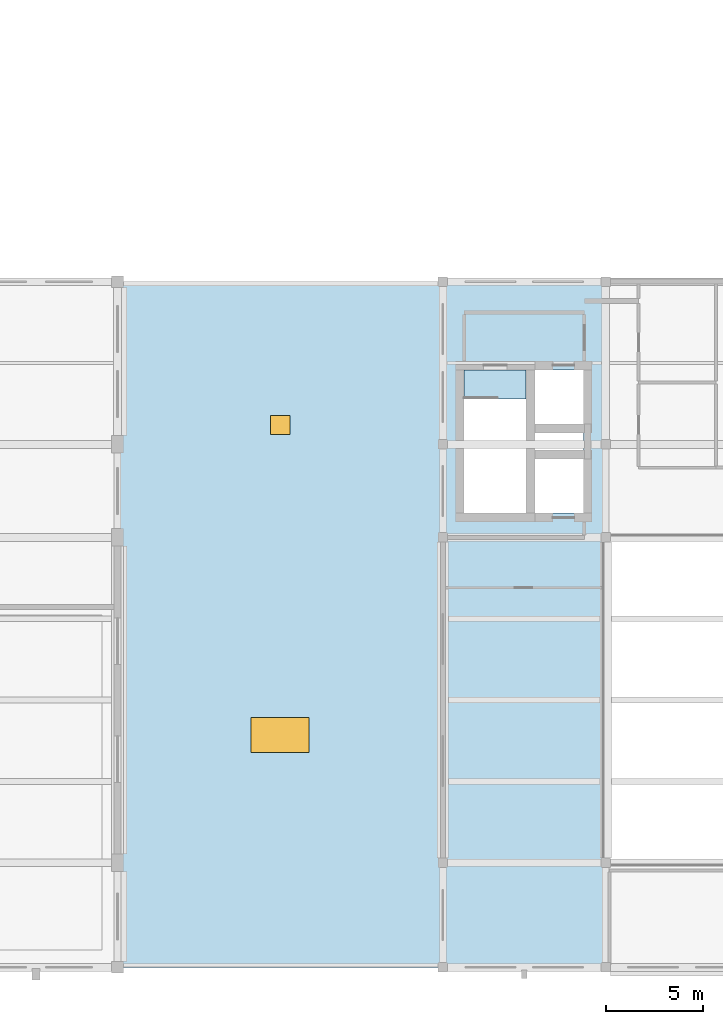
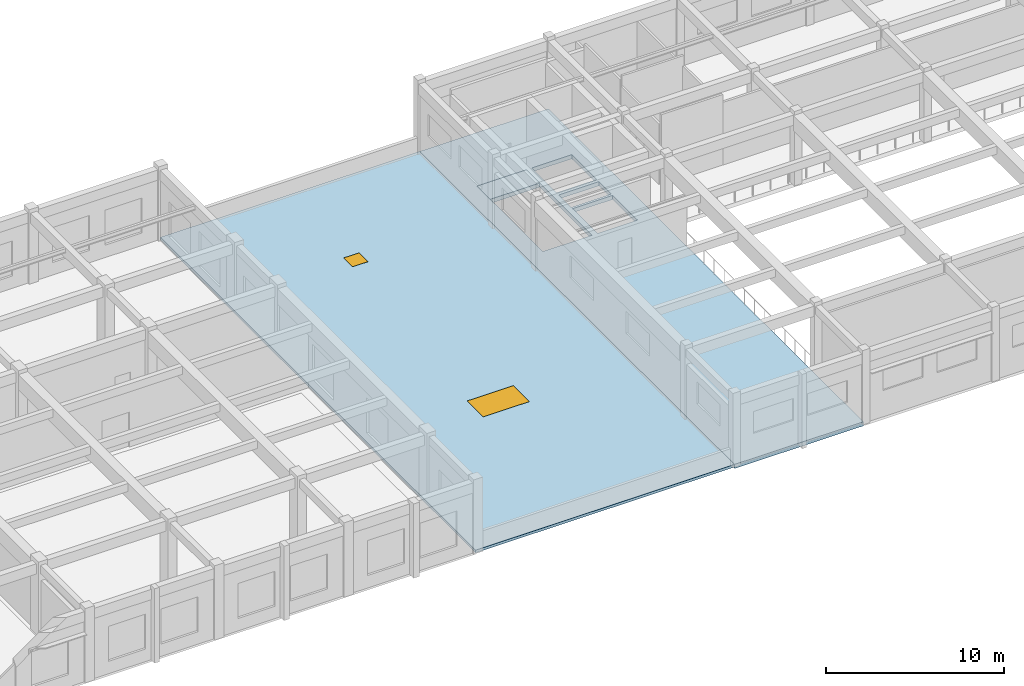
# One storey, part 46 of 77: 3 slabs, 1 door, 1 window, 2 openings.
"""IFC4 building model written with IfcOpenShell, lengths in metres."""

import ifcopenshell
import ifcopenshell.guid

model = None  # the IFC model being written
_history = None  # IfcOwnerHistory: only IFC2X3 demands one
_inside = {}  # id of a spatial element -> (the spatial element, [elements in it])
_under = {}  # id of a project, library or spatial element -> (it, [spatial elements below it])
_declared = {}  # id of a project -> (the project, [libraries it declares])
_typed = {}  # id of a type object -> (the type object, [elements of that type])
_made_of = {}  # id of a material, layer set ... -> (it, [elements and type objects made of it])


def new_model(schema):
    """Start an empty IFC model of exactly this schema.

    Asked for "IFC4X3", IfcOpenShell would pick the latest addendum, in which some entities
    have other attributes; the version numbers below select the first issue.
    IFC2X3 requires an IfcOwnerHistory on every rooted entity: one is made here for all.
    """
    global model, _history
    if schema == "IFC4X3":
        model = ifcopenshell.file(schema_version=(4, 3, 0, 0))
    else:
        model = ifcopenshell.file(schema=schema)
    _inside.clear()
    _under.clear()
    _declared.clear()
    _typed.clear()
    _made_of.clear()
    _history = None
    if model.schema == "IFC2X3":
        org = make("IfcOrganization", Name="unknown")
        user = make(
            "IfcPersonAndOrganization",
            ThePerson=make("IfcPerson", FamilyName="unknown"),
            TheOrganization=org,
        )
        app = make(
            "IfcApplication",
            ApplicationDeveloper=org,
            Version="unknown",
            ApplicationFullName="unknown",
            ApplicationIdentifier="unknown",
        )
        _history = make(
            "IfcOwnerHistory",
            OwningUser=user,
            OwningApplication=app,
            ChangeAction="ADDED",
            CreationDate=0,
        )
    return model


def make(cls, **values):
    """One entity of the class cls with the attributes given. An attribute that is None is left unset."""
    return model.create_entity(
        cls, **{name: value for name, value in values.items() if value is not None}
    )


def rooted(cls, **values):
    """An entity with a GlobalId (a new one), such as an element, a storey or a relation."""
    return make(cls, GlobalId=ifcopenshell.guid.new(), OwnerHistory=_history, **values)


def si_unit(unit_type, name, prefix=None):
    """IfcSIUnit, for example si_unit("LENGTHUNIT", "METRE", prefix="MILLI")."""
    return make("IfcSIUnit", UnitType=unit_type, Prefix=prefix, Name=name)


def assignment(units):
    """IfcUnitAssignment: the units of a project."""
    return None if units is None else make("IfcUnitAssignment", Units=units)


def point(xyz):
    """IfcCartesianPoint."""
    return None if xyz is None else make("IfcCartesianPoint", Coordinates=xyz)


def direction(xyz):
    """IfcDirection."""
    return None if xyz is None else make("IfcDirection", DirectionRatios=xyz)


def frame(location, z_axis=None, x_axis=None):
    """IfcAxis2Placement3D, a coordinate frame: its origin and axes. An axis left out is left unset."""
    return make(
        "IfcAxis2Placement3D",
        Location=point(location),
        Axis=direction(z_axis),
        RefDirection=direction(x_axis),
    )


def frame_2d(location, x_axis=None):
    """IfcAxis2Placement2D, a coordinate frame in the plane: its origin and x axis."""
    return make(
        "IfcAxis2Placement2D", Location=point(location), RefDirection=direction(x_axis)
    )


def origin():
    """The frame at (0, 0, 0) with its axes left unset."""
    return frame((0.0, 0.0, 0.0))


def origin_2d():
    """The frame at (0, 0) in the plane with its x axis left unset."""
    return frame_2d((0.0, 0.0))


def place(relative_to, where):
    """IfcLocalPlacement: puts the frame where relative to a parent placement (None: the world)."""
    return make(
        "IfcLocalPlacement", PlacementRelTo=relative_to, RelativePlacement=where
    )


def context(
    kind, dimensions, precision=None, world=None, true_north=None, identifier=None
):
    """IfcGeometricRepresentationContext, for example the 3D "Model" context."""
    return make(
        "IfcGeometricRepresentationContext",
        ContextIdentifier=identifier,
        ContextType=kind,
        CoordinateSpaceDimension=dimensions,
        Precision=precision,
        WorldCoordinateSystem=world,
        TrueNorth=true_north,
    )


def subcontext(parent, identifier, kind, view, scale=None):
    """IfcGeometricRepresentationSubContext, for example "Body" below "Model"."""
    return make(
        "IfcGeometricRepresentationSubContext",
        ContextIdentifier=identifier,
        ContextType=kind,
        ParentContext=parent,
        TargetScale=scale,
        TargetView=view,
    )


def project(units=None, contexts=None):
    """IfcProject with its units and contexts."""
    return rooted(
        "IfcProject",
        Name="project",
        RepresentationContexts=contexts,
        UnitsInContext=assignment(units),
    )


def spatial(cls, under=None, at=None, **own):
    """A site, building, storey or space (cls), placed at a placement, below another one or the project."""
    s = rooted(cls, ObjectPlacement=at, **own)
    if under is not None:
        _under.setdefault(under.id(), (under, []))[1].append(s)
    return s


def polyline(points):
    """IfcPolyline through the points."""
    return make("IfcPolyline", Points=[point(p) for p in points])


def profile(cls, at=None, kind="AREA", **sizes):
    """A parametric profile (cls). Its sizes go by their IFC names, for example OverallWidth=200.0."""
    return make(cls, ProfileType=kind, Position=at, **sizes)


def rectangle(**sizes):
    """IfcRectangleProfileDef."""
    return profile("IfcRectangleProfileDef", **sizes)


def outline(outer, holes=None, kind="AREA"):
    """IfcArbitraryClosedProfileDef: a profile drawn as a closed curve; with holes, ...WithVoids."""
    if holes is None:
        return make("IfcArbitraryClosedProfileDef", ProfileType=kind, OuterCurve=outer)
    return make(
        "IfcArbitraryProfileDefWithVoids",
        ProfileType=kind,
        OuterCurve=outer,
        InnerCurves=holes,
    )


def extrude(swept, where, along, depth):
    """IfcExtrudedAreaSolid: the profile swept, set in the frame where, extruded along a direction by depth."""
    return make(
        "IfcExtrudedAreaSolid",
        SweptArea=swept,
        Position=where,
        ExtrudedDirection=direction(along),
        Depth=depth,
    )


def shape(context_of_items, identifier, shape_type, items):
    """IfcShapeRepresentation: the items that make up one representation, for example the "Body"."""
    return make(
        "IfcShapeRepresentation",
        ContextOfItems=context_of_items,
        RepresentationIdentifier=identifier,
        RepresentationType=shape_type,
        Items=items,
    )


def material(Name=None, Category=None):
    """IfcMaterial."""
    return make("IfcMaterial", Name=Name, Category=Category)


def layer(
    of_material, thickness, ventilated=None, Name=None, Category=None, Priority=None
):
    """IfcMaterialLayer: one layer of a wall or slab, of a material (None: an air gap)."""
    return make(
        "IfcMaterialLayer",
        Material=of_material,
        LayerThickness=thickness,
        IsVentilated=ventilated,
        Name=Name,
        Category=Category,
        Priority=Priority,
    )


def layer_set(layers, Name=None):
    """IfcMaterialLayerSet."""
    return make("IfcMaterialLayerSet", MaterialLayers=layers, LayerSetName=Name)


def made_of(thing, what):
    """Note that an element or type object is made of a material, layer set ...; save() writes the relation."""
    if what is not None:
        _made_of.setdefault(what.id(), (what, []))[1].append(thing)
    return thing


def type_object(cls, material=None, **own):
    """A type object (cls), such as IfcWallType, which elements share."""
    return made_of(rooted(cls, **own), material)


def element(
    cls,
    number,
    at=None,
    inside=None,
    cuts=None,
    type_object=None,
    material=None,
    context=None,
    identifier="Body",
    shape_type=None,
    held_by="IfcProductDefinitionShape",
    body=None,
    shapes=None,
    **own,
):
    """One element of the class cls, such as IfcWall. Its Tag is "e" and its number.

    at: its placement. inside: the storey or other place that contains it. cuts: it is an
    opening in that element (IfcRelVoidsElement). A single representation is given by context,
    identifier, shape_type and body (its items); several are given by shapes. held_by: the class
    of the entity that holds the representations. save() writes the other relations.
    """
    e = rooted(cls, Tag="e%d" % number, ObjectPlacement=at, **own)
    if body is not None:
        shapes = [shape(context, identifier, shape_type, body)]
    if shapes is not None:
        e.Representation = make(held_by, Representations=shapes)
    if inside is not None:
        _inside.setdefault(inside.id(), (inside, []))[1].append(e)
    if cuts is not None:
        rooted(
            "IfcRelVoidsElement", RelatingBuildingElement=cuts, RelatedOpeningElement=e
        )
    if type_object is not None:
        _typed.setdefault(type_object.id(), (type_object, []))[1].append(e)
    return made_of(e, material)


def fill(opening, filler):
    """IfcRelFillsElement: the door or window that sits in an opening."""
    return rooted(
        "IfcRelFillsElement",
        RelatingOpeningElement=opening,
        RelatedBuildingElement=filler,
    )


def aggregate(whole, parts):
    """IfcRelAggregates: a whole, such as a stair, and the parts it consists of."""
    return rooted("IfcRelAggregates", RelatingObject=whole, RelatedObjects=parts)


def save(model, path):
    """Write the relations noted so far, then the file.

    IfcRelAggregates (storeys below a building ...), IfcRelContainedInSpatialStructure (elements
    in a storey), IfcRelDefinesByType, IfcRelAssociatesMaterial and IfcRelDeclares: one each for
    every whole, place, type object, material and project.
    """
    for whole, parts in _under.values():
        aggregate(whole, parts)
    for where, things in _inside.values():
        rooted(
            "IfcRelContainedInSpatialStructure",
            RelatedElements=things,
            RelatingStructure=where,
        )
    for kind, things in _typed.values():
        rooted("IfcRelDefinesByType", RelatedObjects=things, RelatingType=kind)
    for what, things in _made_of.values():
        rooted("IfcRelAssociatesMaterial", RelatedObjects=things, RelatingMaterial=what)
    for by, libraries in _declared.values():
        rooted("IfcRelDeclares", RelatingContext=by, RelatedDefinitions=libraries)
    model.write(path)


model = new_model("IFC4")

# Units and contexts
model_context = context("Model", 3, precision=1e-05, world=origin(), true_north=direction((0.0, 1.0)))
body_context = subcontext(model_context, "Body", "Model", "MODEL_VIEW")
ifc_project = project(units=[si_unit("LENGTHUNIT", "METRE"), si_unit("AREAUNIT", "SQUARE_METRE"), si_unit("VOLUMEUNIT", "CUBIC_METRE"), si_unit("PLANEANGLEUNIT", "RADIAN"), si_unit("MASSUNIT", "GRAM", prefix="KILO")], contexts=[model_context])

# Site, building, storey
site_placement = place(None, origin())
site = spatial("IfcSite", under=ifc_project, at=site_placement, CompositionType="ELEMENT")
building_placement = place(site_placement, origin())
building = spatial("IfcBuilding", under=site, at=building_placement, Name="Krzemoval Escarpment Law Courts", CompositionType="ELEMENT")
storey_placement = place(building_placement, frame((0.0, 0.0, 15.300048828125)))
storey = spatial("IfcBuildingStorey", under=building, at=storey_placement, Name="L03", CompositionType="ELEMENT", Elevation=15.300048828125)

# Slabs
ifc_material_1 = material(Name="Concrete C50/60", Category="concrete")
ifc_layer_1 = layer(ifc_material_1, 0.280029296875)
ifc_layer_set_1 = layer_set([ifc_layer_1], Name="Concrete C50/60")
slab_type_1 = type_object("IfcSlabType", Name="SL-PT-280", PredefinedType="FLOOR", material=ifc_layer_set_1)
slab_1_placement = place(storey_placement, frame((0.0, 0.0, -0.280029296875)))
element("IfcSlab", 1, at=slab_1_placement, inside=storey, type_object=slab_type_1, Name="Floor Slab SL-L03-V3-038", PredefinedType="FLOOR", context=body_context, shape_type="SweptSolid", body=[
    extrude(outline(polyline([(109.199951171875, 35.39990234375), (117.56005859375, 35.39990234375), (117.56005859375, 0.0), (109.199951171875, 0.0), (109.199951171875, 35.39990234375)]), holes=[polyline([(116.449951171875, 23.449951171875), (116.449951171875, 26.25), (113.85009765625, 26.25), (113.85009765625, 23.449951171875), (116.449951171875, 23.449951171875)]), polyline([(113.85009765625, 28.050048828125), (116.449951171875, 28.050048828125), (116.449951171875, 30.85009765625), (113.85009765625, 30.85009765625), (113.85009765625, 28.050048828125)]), polyline([(113.85009765625, 27.800048828125), (113.85009765625, 26.39990234375), (116.449951171875, 26.39990234375), (116.449951171875, 27.800048828125), (113.85009765625, 27.800048828125)]), polyline([(113.5, 30.85009765625), (110.300048828125, 30.85009765625), (110.300048828125, 23.449951171875), (113.5, 23.449951171875), (113.5, 30.85009765625)])]), origin(), (0.0, 0.0, 1.0), 0.280029296875),
])
slab_2_placement = place(storey_placement, frame((0.0, 0.0, -0.280029296875)))
element("IfcSlab", 2, at=slab_2_placement, inside=storey, type_object=slab_type_1, Name="Core Floor Landing Slab SL-ST6-L03-FL", PredefinedType="FLOOR", context=body_context, shape_type="SweptSolid", body=[
    extrude(outline(polyline([(110.300048828125, 30.85009765625), (110.300048828125, 29.35009765625), (113.5, 29.35009765625), (113.5, 30.85009765625), (110.300048828125, 30.85009765625)])), origin(), (0.0, 0.0, 1.0), 0.280029296875),
])

# Slab, openings, door, window
ifc_material_2 = material(Name="Concrete C40/50", Category="concrete")
ifc_layer_2 = layer(ifc_material_2, 0.179931640625)
ifc_layer_set_2 = layer_set([ifc_layer_2], Name="Concrete C40/50")
slab_type_2 = type_object("IfcSlabType", Name="SL-ROOF-FLAT180", PredefinedType="ROOF", material=ifc_layer_set_2)
slab_3_placement = place(storey_placement, frame((0.0, 0.0, -0.179931640625)))
slab_3 = element("IfcSlab", 3, at=slab_3_placement, inside=storey, type_object=slab_type_2, Name="Flat Roof Slab ROOF-V2E-L03", PredefinedType="ROOF", context=body_context, shape_type="SweptSolid", body=[
    extrude(outline(polyline([(92.39990234375, 0.0), (92.39990234375, 35.39990234375), (109.199951171875, 35.39990234375), (109.199951171875, 0.0), (92.39990234375, 0.0)])), origin(), (0.0, 0.0, 1.0), 0.179931640625),
])
opening_1_placement = place(slab_3_placement, frame((100.800048828125, 12.0, 0.0)))
opening_1 = element("IfcOpeningElement", 4, at=opening_1_placement, cuts=slab_3, Name="Opening SK-06", PredefinedType="OPENING", context=body_context, shape_type="SweptSolid", body=[
    extrude(rectangle(XDim=3.0, YDim=1.800048828125, at=origin_2d()), frame((0.0, 0.0, -0.015)), (0.0, 0.0, 1.0), 0.20993),
])
opening_2_placement = place(slab_3_placement, frame((100.800048828125, 28.0, 0.0)))
opening_2 = element("IfcOpeningElement", 5, at=opening_2_placement, cuts=slab_3, Name="Opening HT-06", PredefinedType="OPENING", context=body_context, shape_type="SweptSolid", body=[
    extrude(rectangle(XDim=1.0, YDim=1.0, at=origin_2d()), frame((0.0, 0.0, -0.015)), (0.0, 0.0, 1.0), 0.20993),
])
ifc_material_3 = material(Name="Thermally Broken Aluminium and Laminated Safety Glass", Category="aluminium")
door_type = type_object("IfcDoorType", Name="DR-HT-1000x1000", OperationType="SINGLE_SWING_LEFT", PredefinedType="TRAPDOOR", material=ifc_material_3)
door_placement = place(opening_2_placement, frame((0.0, 0.0, 0.1298828125)))
door = element("IfcDoor", 6, at=door_placement, inside=storey, type_object=door_type, Name="Roof Access Hatch HT-06", OperationType="SINGLE_SWING_LEFT", OverallHeight=1.0, OverallWidth=1.0, PredefinedType="TRAPDOOR", context=body_context, shape_type="SweptSolid", body=[
    extrude(rectangle(XDim=1.0, YDim=1.0, at=origin_2d()), origin(), (0.0, 0.0, 1.0), 0.050048828125),
])
fill(opening_2, door)
ifc_material_4 = material(Name="Thermally Broken Aluminium Frame with Triple Low-E Acoustic Glass", Category="aluminium")
window_type = type_object("IfcWindowType", Name="WN-SKY-3000x1800", PartitioningType="SINGLE_PANEL", PredefinedType="SKYLIGHT", material=ifc_material_4)
window_placement = place(opening_1_placement, frame((0.0, 0.0, 0.1298828125)))
window = element("IfcWindow", 7, at=window_placement, inside=storey, type_object=window_type, Name="Roof Skylight SK-06", OverallHeight=1.800048828125, OverallWidth=3.0, PartitioningType="SINGLE_PANEL", PredefinedType="SKYLIGHT", context=body_context, shape_type="SweptSolid", body=[
    extrude(rectangle(XDim=3.0, YDim=1.800048828125, at=origin_2d()), origin(), (0.0, 0.0, 1.0), 0.050048828125),
])
fill(opening_1, window)

save(model, "model.ifc")
